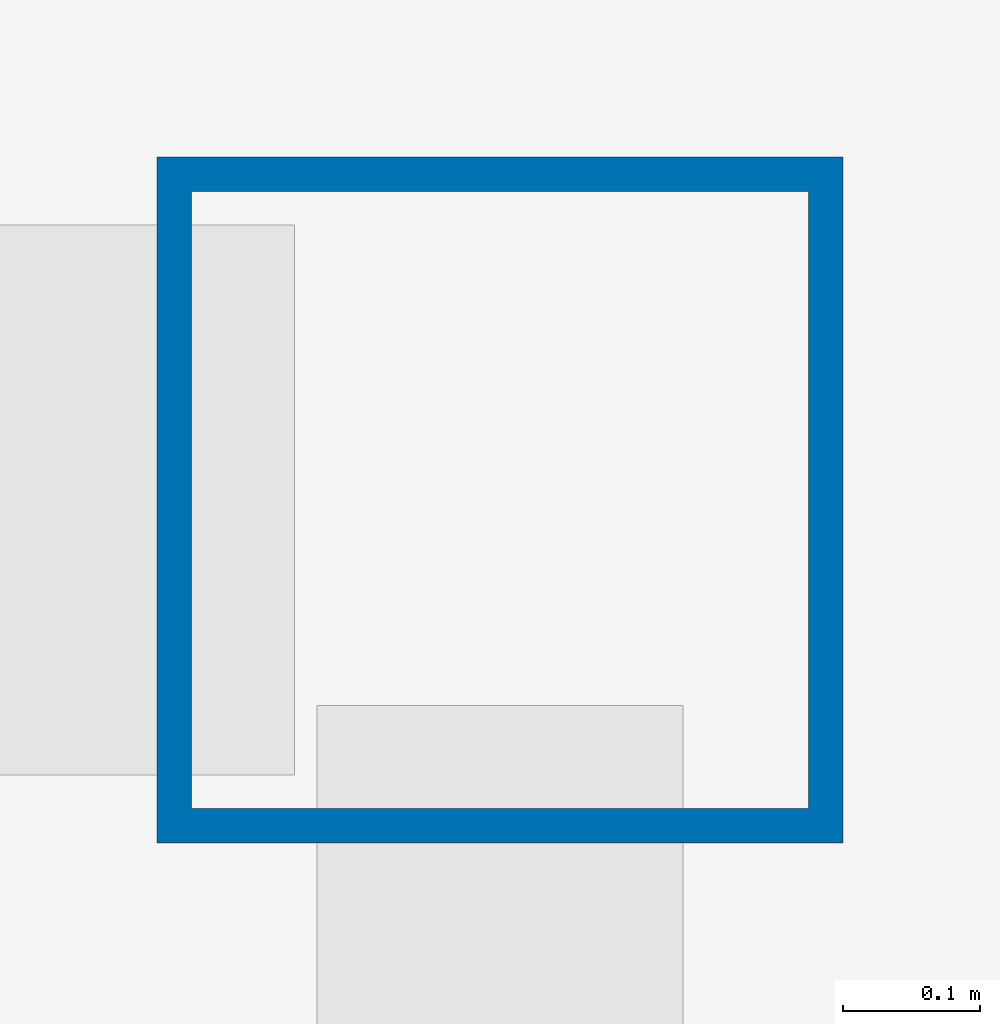
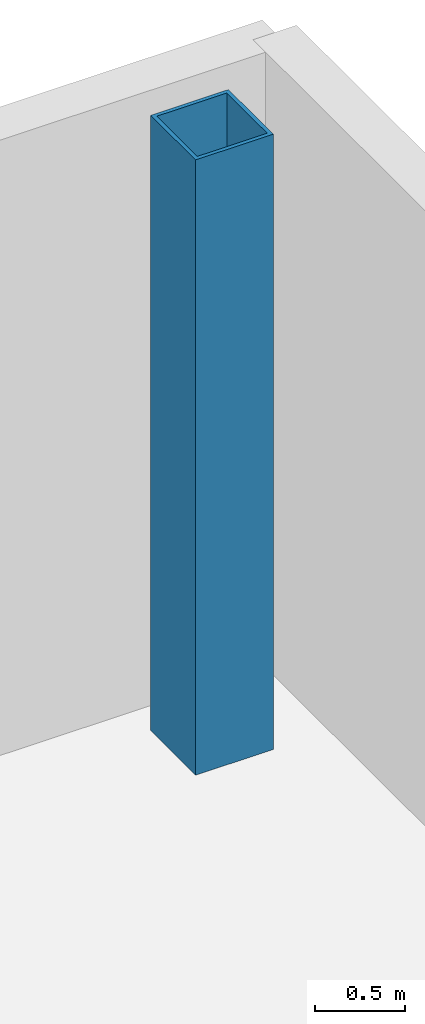
# One storey, part 5 of 27: 1 column.
"""IFC4 building model written with IfcOpenShell, lengths in metres."""

from ifc_helpers import new_model, si_unit, direction, frame, origin, origin_2d, place, context, subcontext, project, spatial, hollow_rectangle, extrude, source, transform, mapped, material, material_profile, profile_set, type_object, element, save


model = new_model("IFC4")

# Units and contexts
model_context = context("Model", 3, precision=1e-05, world=origin(), true_north=direction((0.0, 1.0)))
body_context = subcontext(model_context, "Body", "Model", "MODEL_VIEW")
ifc_project = project(units=[si_unit("LENGTHUNIT", "METRE"), si_unit("AREAUNIT", "SQUARE_METRE"), si_unit("VOLUMEUNIT", "CUBIC_METRE"), si_unit("PLANEANGLEUNIT", "RADIAN"), si_unit("MASSUNIT", "GRAM", prefix="KILO")], contexts=[model_context])

# Site, building, storey
site_placement = place(None, origin())
site = spatial("IfcSite", under=ifc_project, at=site_placement, CompositionType="ELEMENT")
building_placement = place(site_placement, origin())
building = spatial("IfcBuilding", under=site, at=building_placement, Name="Kolveth Station Tower", CompositionType="ELEMENT")
storey_placement = place(building_placement, frame((0.0, 0.0, 13.5)))
storey = spatial("IfcBuildingStorey", under=building, at=storey_placement, Name="L03", CompositionType="ELEMENT", Elevation=13.5)

# Column
ifc_material = material(Name="Steel S355", Category="steel")
ifc_material_profile = material_profile(ifc_material, hollow_rectangle(XDim=0.5, YDim=0.5, WallThickness=0.02490234375, at=origin_2d()), Name="HSS500x500x25")
ifc_profile_set = profile_set([ifc_material_profile], Name="Steel S355")
column_type = type_object("IfcColumnType", Name="Col_SC2", PredefinedType="COLUMN", material=ifc_profile_set)
shared_shape = source(origin(), body_context, "Body", "SweptSolid", [
    extrude(hollow_rectangle(XDim=0.5, YDim=0.5, WallThickness=0.02490234375, at=origin_2d()), origin(), (0.0, 0.0, 1.0), 4.179931640625),
])
column_placement = place(storey_placement, frame((70.699951171875, 39.75, 0.0), z_axis=(0.0, 0.0, 1.0), x_axis=(1.0, 0.0, 0.0)))
element("IfcColumn", 1, at=column_placement, inside=storey, type_object=column_type, Name="L03 Station Column SE-4-6", PredefinedType="COLUMN", context=body_context, shape_type="MappedRepresentation", body=[
    mapped(shared_shape, transform((0.0, 0.0, 0.0), x_axis=(1.0, 0.0, 0.0), y_axis=(0.0, 1.0, 0.0), z_axis=(0.0, 0.0, 1.0), scale=1.0)),
])

save(model, "model.ifc")
